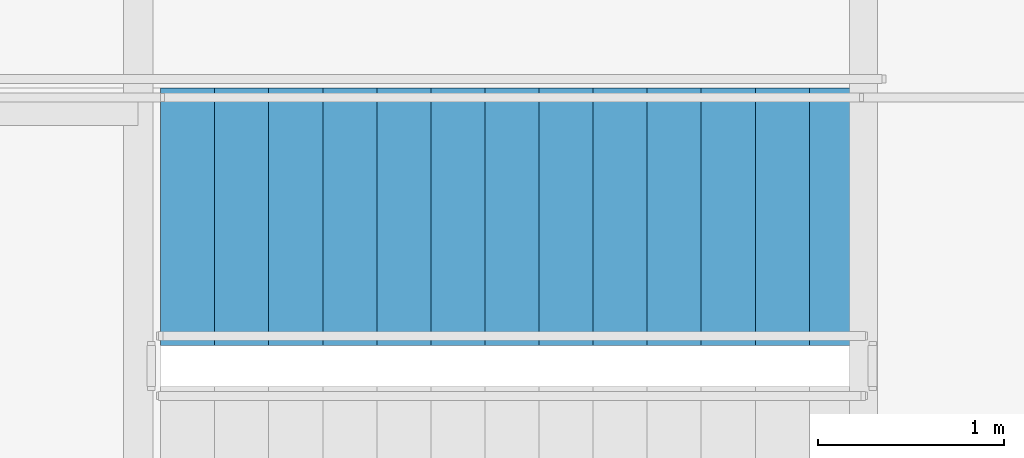
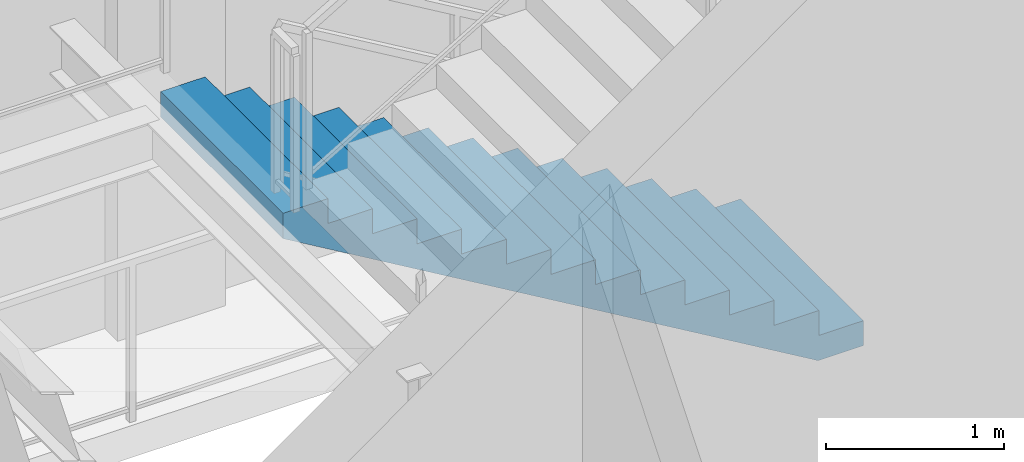
# One storey, part 27 of 30: 1 stair flight, 1 element without a shape of its own.
"""IFC4 building model written with IfcOpenShell, lengths in metres."""

from ifc_helpers import new_model, si_unit, direction, frame, origin, place, context, subcontext, project, spatial, polyline, outline, extrude, material, type_object, element, aggregate, save


model = new_model("IFC4")

# Units and contexts
model_context = context("Model", 3, precision=1e-05, world=origin(), true_north=direction((0.0, 1.0)))
body_context = subcontext(model_context, "Body", "Model", "MODEL_VIEW")
ifc_project = project(units=[si_unit("LENGTHUNIT", "METRE"), si_unit("AREAUNIT", "SQUARE_METRE"), si_unit("VOLUMEUNIT", "CUBIC_METRE"), si_unit("PLANEANGLEUNIT", "RADIAN"), si_unit("MASSUNIT", "GRAM", prefix="KILO")], contexts=[model_context])

# Site, building, storey
site_placement = place(None, origin())
site = spatial("IfcSite", under=ifc_project, at=site_placement, CompositionType="ELEMENT")
building_placement = place(site_placement, origin())
building = spatial("IfcBuilding", under=site, at=building_placement, Name="Khoronbel Lancet Exchange", CompositionType="ELEMENT")
storey_placement = place(building_placement, frame((0.0, 0.0, 172.199951171875)))
storey = spatial("IfcBuildingStorey", under=building, at=storey_placement, Name="L43", CompositionType="ELEMENT", Elevation=172.199951171875)

# Stair, stair flight
ifc_material = material(Name="Concrete C40/50", Category="concrete")
stair_type = type_object("IfcStairType", Name="STR-CORE150", PredefinedType="HALF_TURN_STAIR", material=ifc_material)
stair_placement = place(storey_placement, origin())
stair = element("IfcStair", 1, at=stair_placement, inside=storey, type_object=stair_type, Name="L43 Protected Exit Stair ST2", PredefinedType="HALF_TURN_STAIR")
stair_flight_type = type_object("IfcStairFlightType", Name="STF-150", PredefinedType="STRAIGHT", material=ifc_material)
stair_flight_placement = place(storey_placement, frame((54.60009765625, 51.409912109375, 0.0), z_axis=(0.0, 0.0, 1.0), x_axis=(-1.0, 0.0, 0.0)))
stair_flight = element("IfcStairFlight", 2, at=stair_flight_placement, type_object=stair_flight_type, Name="ST2 flight 1", NumberOfRisers=14, NumberOfTreads=13, PredefinedType="STRAIGHT", RiserHeight=0.171428571, TreadLength=0.29, context=body_context, shape_type="SweptSolid", body=[
    extrude(outline(polyline([(0.0, 0.0), (0.0, 0.17138671875), (0.2900390625, 0.17138671875), (0.2900390625, 0.3427734375), (0.580078125, 0.3427734375), (0.580078125, 0.514404296875), (0.8701171875, 0.514404296875), (0.8701171875, 0.685791015625), (1.159912109375, 0.685791015625), (1.159912109375, 0.857177734375), (1.449951171875, 0.857177734375), (1.449951171875, 1.028564453125), (1.739990234375, 1.028564453125), (1.739990234375, 1.199951171875), (2.030029296875, 1.199951171875), (2.030029296875, 1.371337890625), (2.320068359375, 1.371337890625), (2.320068359375, 1.54296875), (2.610107421875, 1.54296875), (2.610107421875, 1.71435546875), (2.89990234375, 1.71435546875), (2.89990234375, 1.8857421875), (3.18994140625, 1.8857421875), (3.18994140625, 2.05712890625), (3.47998046875, 2.05712890625), (3.47998046875, 2.228515625), (3.77001953125, 2.228515625), (3.77001953125, 2.39990234375), (3.77001953125, 2.054443359375), (0.294677734375, 0.0), (0.0, 0.0)])), frame((0.0, 0.68994140625, 0.0), z_axis=(0.0, -1.0, 0.0), x_axis=(1.0, 0.0, 0.0)), (0.0, 0.0, 1.0), 1.3798828125),
])
aggregate(stair, [stair_flight])

save(model, "model.ifc")
